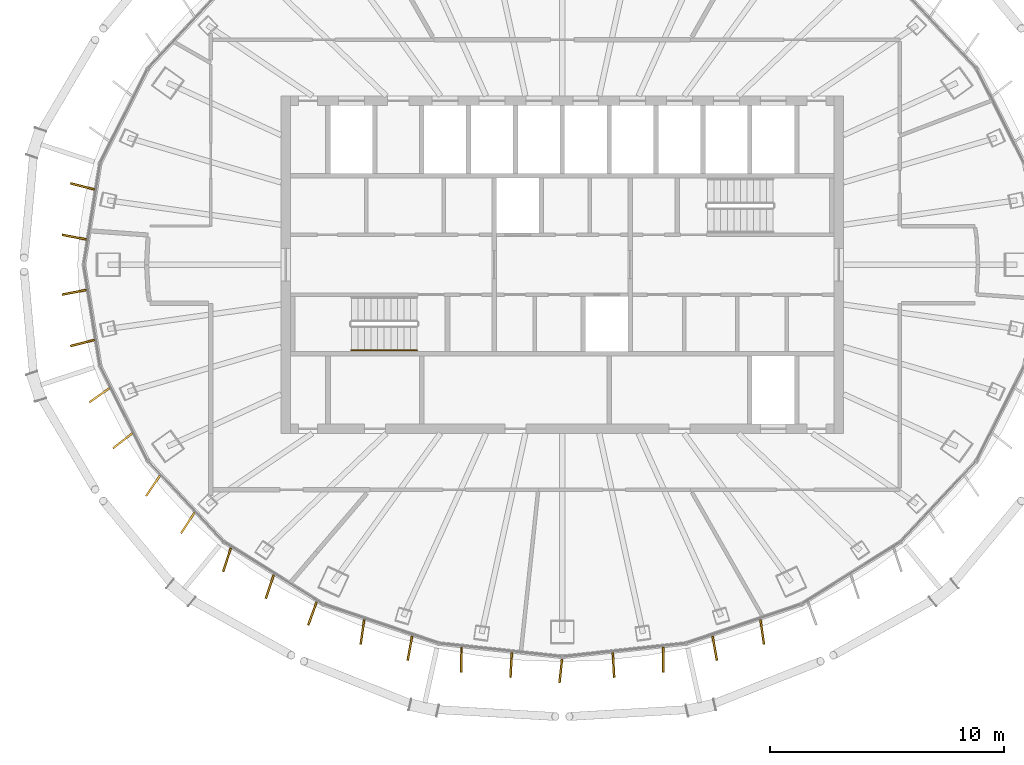
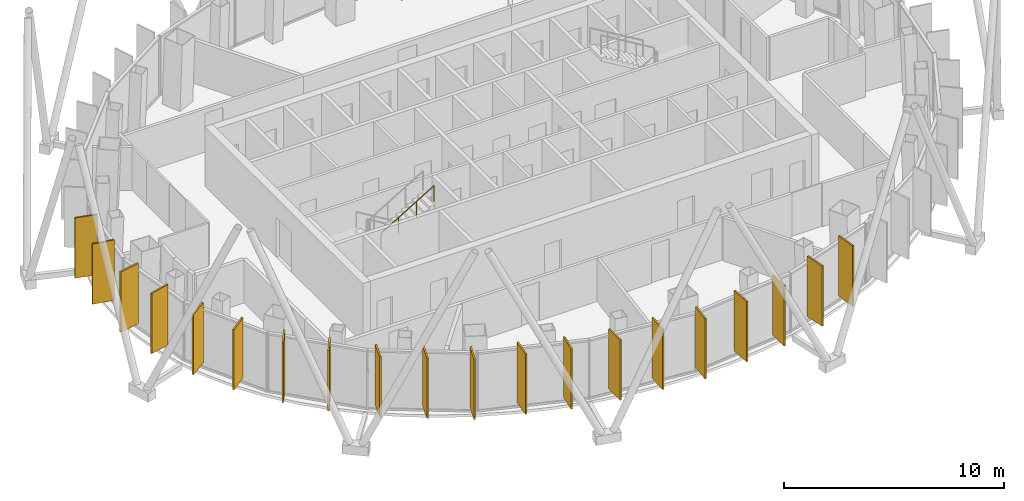
# One storey, part 16 of 18: 20 shading devices, 1 railing.
"""IFC4 building model written with IfcOpenShell, lengths in metres."""

from ifc_helpers import new_model, si_unit, direction, frame, origin, origin_2d, place, context, subcontext, project, spatial, rectangle, circle, extrude, material, layer, layer_set, type_object, element, save


model = new_model("IFC4")

# Units and contexts
model_context = context("Model", 3, precision=1e-05, world=origin(), true_north=direction((0.0, 1.0)))
body_context = subcontext(model_context, "Body", "Model", "MODEL_VIEW")
ifc_project = project(units=[si_unit("LENGTHUNIT", "METRE"), si_unit("AREAUNIT", "SQUARE_METRE"), si_unit("VOLUMEUNIT", "CUBIC_METRE"), si_unit("PLANEANGLEUNIT", "RADIAN"), si_unit("MASSUNIT", "GRAM", prefix="KILO")], contexts=[model_context])

# Site, building, storey
site_placement = place(None, origin())
site = spatial("IfcSite", under=ifc_project, at=site_placement, CompositionType="ELEMENT")
building_placement = place(site_placement, origin())
building = spatial("IfcBuilding", under=site, at=building_placement, Name="Siaravel Broadcast Tower", CompositionType="ELEMENT")
storey_placement = place(building_placement, frame((0.0, 0.0, 261.5)))
storey = spatial("IfcBuildingStorey", under=building, at=storey_placement, Name="L64", CompositionType="ELEMENT", Elevation=261.5)

# Shading devices
ifc_material_1 = material(Name="Bronze anodised aluminium", Category="aluminium")
ifc_layer = layer(ifc_material_1, 0.080078125)
ifc_layer_set = layer_set([ifc_layer], Name="Bronze anodised aluminium")
shading_device_type = type_object("IfcShadingDeviceType", Name="Bronze fin zone 4", PredefinedType="USERDEFINED", material=ifc_layer_set)
for number, where, z_axis, x_axis, name in (
    (1, (-20.474853515625, 3.340576171875, 0.300048828125), (0.0, 0.0, 1.0), (-0.968487165, 0.249063468, 0.0), "Bronze fin L64-26"),
    (2, (-20.82470703125, 1.176513671875, 0.300048828125), (0.0, 0.0, 1.0), (-0.981879749, 0.189505035, 0.0), "Bronze fin L64-27"),
    (3, (-20.82470703125, -1.176513671875, 0.300048828125), (0.0, 0.0, 1.0), (-0.981879749, -0.189505035, 0.0), "Bronze fin L64-28"),
    (4, (-20.474853515625, -3.340576171875, 0.300048828125), (0.0, 0.0, 1.0), (-0.968487165, -0.249063468, 0.0), "Bronze fin L64-29"),
    (5, (-19.750244140625, -5.569091796875, 0.300048828125), (0.0, 0.0, 1.0), (-0.81719721, -0.576358152, 0.0), "Bronze fin L64-30"),
    (6, (-18.76171875, -7.51513671875, 0.300048828125), (0.0, 0.0, 1.0), (-0.790980122, -0.611841847, 0.0), "Bronze fin L64-31"),
    (7, (-17.46728515625, -9.440185546875, 0.300048828125), (0.0, 0.0, 1.0), (-0.561614141, -0.827399273, 0.0), "Bronze fin L64-32"),
    (8, (-15.98291015625, -11.02197265625, 0.300048828125), (0.0, 0.0, 1.0), (-0.546607746, -0.837388782, 0.0), "Bronze fin L64-33"),
    (9, (-14.306884765625, -12.593017578125, 0.300048828125), (0.0, 0.0, 1.0), (-0.311713096, -0.950176271, 0.0), "Bronze fin L64-34"),
    (10, (-12.482421875, -13.7412109375, 0.300048828125), (0.0, 0.0, 1.0), (-0.319773042, -0.94749417, 0.0), "Bronze fin L64-35"),
    (11, (-10.663818359375, -14.88720703125, 0.300048828125), (0.0, 0.0, 1.0), (-0.339173053, -0.940723998, 0.0), "Bronze fin L64-36"),
    (12, (-8.529296875, -15.675048828125, 0.300048828125), (0.0, 0.0, 1.0), (-0.141682207, -0.989912194, 0.0), "Bronze fin L64-37"),
    (13, (-6.504150390625, -16.365966796875, 0.300048828125), (0.0, 0.0, 1.0), (-0.180165502, -0.983636311, 0.0), "Bronze fin L64-38"),
    (14, (-4.305908203125, -16.859375, 0.300048828125), (0.0, 0.0, 1.0), (-0.006450692, -0.999979194, 0.0), "Bronze fin L64-39"),
    (15, (-2.18408203125, -17.090087890625, 0.300048828125), (0.0, 0.0, 1.0), (-0.055873783, -0.99843784, 0.0), "Bronze fin L64-40"),
    (16, (-0.063720703125, -17.319580078125, 0.300048828125), (0.0, 0.0, 1.0), (-0.107218518, -0.99423548, 0.0), "Bronze fin L64-41"),
    (17, (2.18408203125, -17.090087890625, 0.300048828125), (0.0, 0.0, 1.0), (0.055873783, -0.99843784, 0.0), "Bronze fin L64-42"),
    (18, (4.305908203125, -16.859375, 0.300048828125), (0.0, 0.0, 1.0), (0.006450692, -0.999979194, 0.0), "Bronze fin L64-43"),
    (19, (6.504150390625, -16.365966796875, 0.300048828125), (0.0, 0.0, 1.0), (0.180165502, -0.983636311, 0.0), "Bronze fin L64-44"),
    (20, (8.529296875, -15.675048828125, 0.300048828125), (0.0, 0.0, 1.0), (0.141682207, -0.989912194, 0.0), "Bronze fin L64-45"),
):
    element("IfcShadingDevice", number, at=place(storey_placement, frame(where, z_axis=z_axis, x_axis=x_axis)), inside=storey, type_object=shading_device_type, Name=name, ObjectType="FIN", PredefinedType="USERDEFINED", context=body_context, shape_type="SweptSolid", body=[
        extrude(rectangle(XDim=1.050048828125, YDim=0.080078125, at=origin_2d()), origin(), (0.0, 0.0, 1.0), 3.35009765625),
    ])

# Railing
ifc_material_2 = material(Name="Stainless steel 316L", Category="steel")
railing_type = type_object("IfcRailingType", Name="Stair handrail 900", PredefinedType="HANDRAIL", material=ifc_material_2)
railing_placement = place(storey_placement, frame((-9.0, -3.64990234375, 2.01806640625)))
element("IfcRailing", 21, at=railing_placement, inside=storey, type_object=railing_type, Name="L64 ST-1 stair handrail 2", PredefinedType="HANDRAIL", context=body_context, shape_type="SweptSolid", body=[
    extrude(circle(Radius=0.02392578125, at=origin_2d()), frame((0.0, 0.0, 0.8759765625), z_axis=(0.857242211, 0.0, 0.514913383), x_axis=(0.0, 1.0, 0.0)), (0.0, 0.0, 1.0), 3.266357421875),
    extrude(circle(Radius=0.02099609375, at=origin_2d()), origin(), (0.0, 0.0, 1.0), 0.851806640625),
    extrude(circle(Radius=0.02099609375, at=origin_2d()), frame((0.933349609375, 0.0, 0.560546875)), (0.0, 0.0, 1.0), 0.851806640625),
    extrude(circle(Radius=0.02099609375, at=origin_2d()), frame((1.86669921875, 0.0, 1.121337890625)), (0.0, 0.0, 1.0), 0.851806640625),
    extrude(circle(Radius=0.02099609375, at=origin_2d()), frame((2.800048828125, 0.0, 1.681884765625)), (0.0, 0.0, 1.0), 0.851806640625),
])

save(model, "model.ifc")
